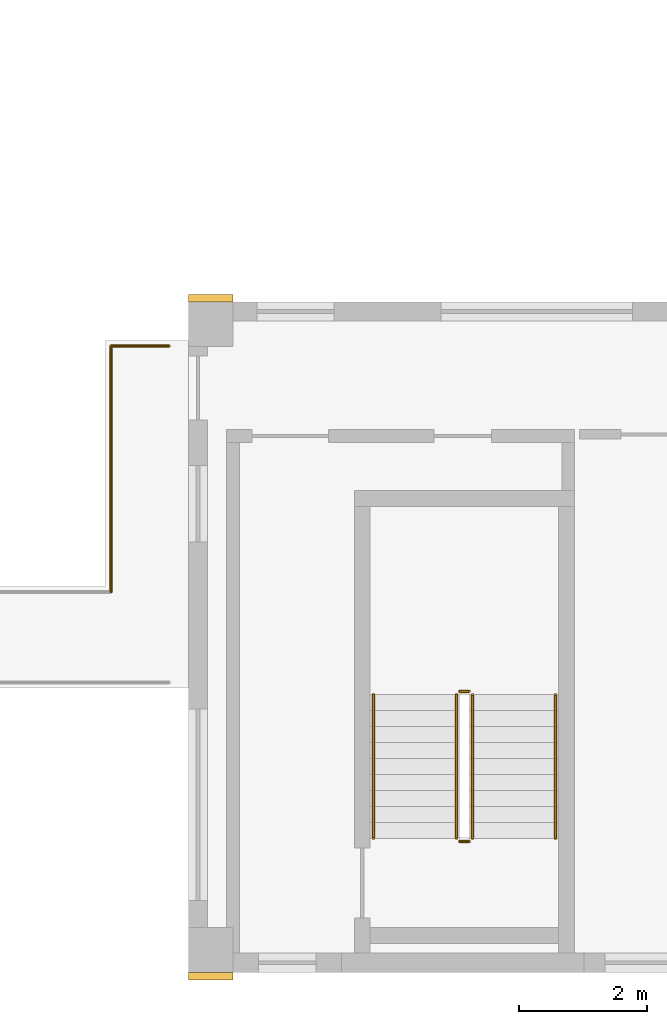
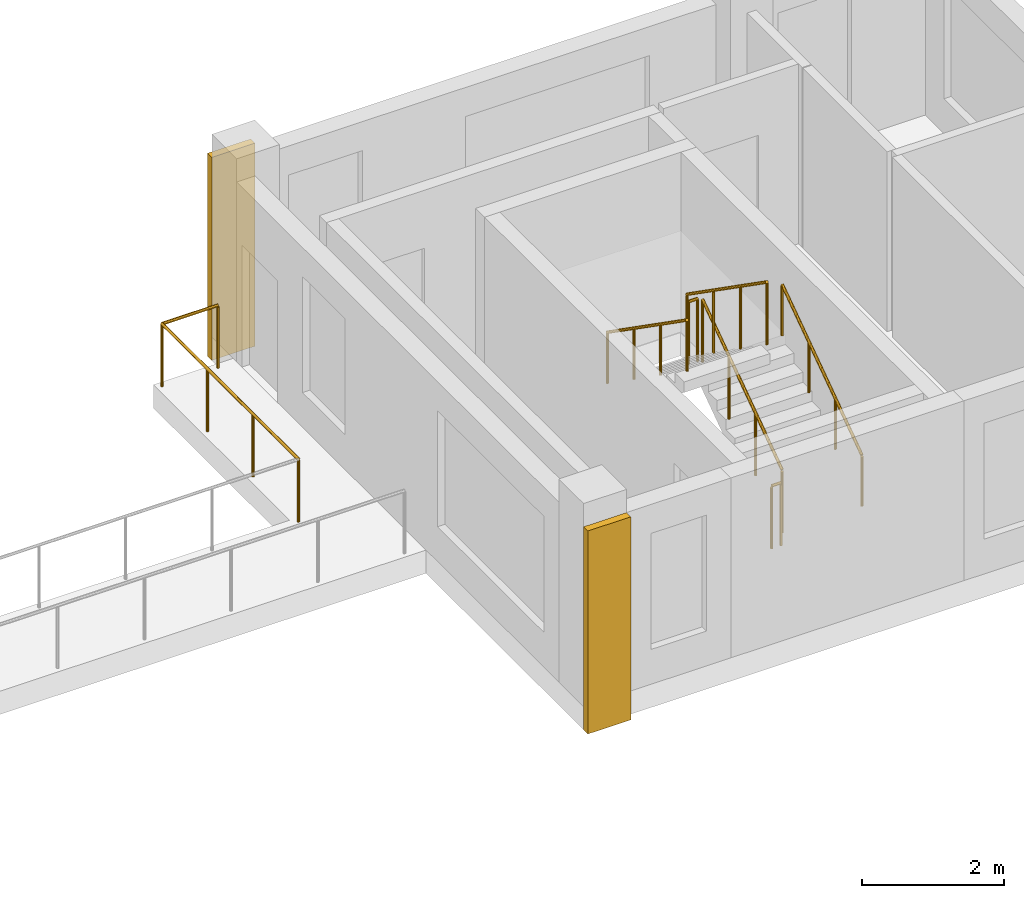
# One storey, part 8 of 9: 8 railings, 2 coverings.
"""IFC4 building model written with IfcOpenShell, lengths in metres."""

import ifcopenshell
import ifcopenshell.guid

model = None  # the IFC model being written
_history = None  # IfcOwnerHistory: only IFC2X3 demands one
_inside = {}  # id of a spatial element -> (the spatial element, [elements in it])
_under = {}  # id of a project, library or spatial element -> (it, [spatial elements below it])
_declared = {}  # id of a project -> (the project, [libraries it declares])
_typed = {}  # id of a type object -> (the type object, [elements of that type])
_made_of = {}  # id of a material, layer set ... -> (it, [elements and type objects made of it])


def new_model(schema):
    """Start an empty IFC model of exactly this schema.

    Asked for "IFC4X3", IfcOpenShell would pick the latest addendum, in which some entities
    have other attributes; the version numbers below select the first issue.
    IFC2X3 requires an IfcOwnerHistory on every rooted entity: one is made here for all.
    """
    global model, _history
    if schema == "IFC4X3":
        model = ifcopenshell.file(schema_version=(4, 3, 0, 0))
    else:
        model = ifcopenshell.file(schema=schema)
    _inside.clear()
    _under.clear()
    _declared.clear()
    _typed.clear()
    _made_of.clear()
    _history = None
    if model.schema == "IFC2X3":
        org = make("IfcOrganization", Name="unknown")
        user = make(
            "IfcPersonAndOrganization",
            ThePerson=make("IfcPerson", FamilyName="unknown"),
            TheOrganization=org,
        )
        app = make(
            "IfcApplication",
            ApplicationDeveloper=org,
            Version="unknown",
            ApplicationFullName="unknown",
            ApplicationIdentifier="unknown",
        )
        _history = make(
            "IfcOwnerHistory",
            OwningUser=user,
            OwningApplication=app,
            ChangeAction="ADDED",
            CreationDate=0,
        )
    return model


def make(cls, **values):
    """One entity of the class cls with the attributes given. An attribute that is None is left unset."""
    return model.create_entity(
        cls, **{name: value for name, value in values.items() if value is not None}
    )


def rooted(cls, **values):
    """An entity with a GlobalId (a new one), such as an element, a storey or a relation."""
    return make(cls, GlobalId=ifcopenshell.guid.new(), OwnerHistory=_history, **values)


def si_unit(unit_type, name, prefix=None):
    """IfcSIUnit, for example si_unit("LENGTHUNIT", "METRE", prefix="MILLI")."""
    return make("IfcSIUnit", UnitType=unit_type, Prefix=prefix, Name=name)


def assignment(units):
    """IfcUnitAssignment: the units of a project."""
    return None if units is None else make("IfcUnitAssignment", Units=units)


def point(xyz):
    """IfcCartesianPoint."""
    return None if xyz is None else make("IfcCartesianPoint", Coordinates=xyz)


def direction(xyz):
    """IfcDirection."""
    return None if xyz is None else make("IfcDirection", DirectionRatios=xyz)


def frame(location, z_axis=None, x_axis=None):
    """IfcAxis2Placement3D, a coordinate frame: its origin and axes. An axis left out is left unset."""
    return make(
        "IfcAxis2Placement3D",
        Location=point(location),
        Axis=direction(z_axis),
        RefDirection=direction(x_axis),
    )


def frame_2d(location, x_axis=None):
    """IfcAxis2Placement2D, a coordinate frame in the plane: its origin and x axis."""
    return make(
        "IfcAxis2Placement2D", Location=point(location), RefDirection=direction(x_axis)
    )


def origin():
    """The frame at (0, 0, 0) with its axes left unset."""
    return frame((0.0, 0.0, 0.0))


def origin_2d():
    """The frame at (0, 0) in the plane with its x axis left unset."""
    return frame_2d((0.0, 0.0))


def place(relative_to, where):
    """IfcLocalPlacement: puts the frame where relative to a parent placement (None: the world)."""
    return make(
        "IfcLocalPlacement", PlacementRelTo=relative_to, RelativePlacement=where
    )


def context(
    kind, dimensions, precision=None, world=None, true_north=None, identifier=None
):
    """IfcGeometricRepresentationContext, for example the 3D "Model" context."""
    return make(
        "IfcGeometricRepresentationContext",
        ContextIdentifier=identifier,
        ContextType=kind,
        CoordinateSpaceDimension=dimensions,
        Precision=precision,
        WorldCoordinateSystem=world,
        TrueNorth=true_north,
    )


def subcontext(parent, identifier, kind, view, scale=None):
    """IfcGeometricRepresentationSubContext, for example "Body" below "Model"."""
    return make(
        "IfcGeometricRepresentationSubContext",
        ContextIdentifier=identifier,
        ContextType=kind,
        ParentContext=parent,
        TargetScale=scale,
        TargetView=view,
    )


def project(units=None, contexts=None):
    """IfcProject with its units and contexts."""
    return rooted(
        "IfcProject",
        Name="project",
        RepresentationContexts=contexts,
        UnitsInContext=assignment(units),
    )


def spatial(cls, under=None, at=None, **own):
    """A site, building, storey or space (cls), placed at a placement, below another one or the project."""
    s = rooted(cls, ObjectPlacement=at, **own)
    if under is not None:
        _under.setdefault(under.id(), (under, []))[1].append(s)
    return s


def profile(cls, at=None, kind="AREA", **sizes):
    """A parametric profile (cls). Its sizes go by their IFC names, for example OverallWidth=200.0."""
    return make(cls, ProfileType=kind, Position=at, **sizes)


def rectangle(**sizes):
    """IfcRectangleProfileDef."""
    return profile("IfcRectangleProfileDef", **sizes)


def circle(**sizes):
    """IfcCircleProfileDef."""
    return profile("IfcCircleProfileDef", **sizes)


def extrude(swept, where, along, depth):
    """IfcExtrudedAreaSolid: the profile swept, set in the frame where, extruded along a direction by depth."""
    return make(
        "IfcExtrudedAreaSolid",
        SweptArea=swept,
        Position=where,
        ExtrudedDirection=direction(along),
        Depth=depth,
    )


def shape(context_of_items, identifier, shape_type, items):
    """IfcShapeRepresentation: the items that make up one representation, for example the "Body"."""
    return make(
        "IfcShapeRepresentation",
        ContextOfItems=context_of_items,
        RepresentationIdentifier=identifier,
        RepresentationType=shape_type,
        Items=items,
    )


def source(mapping_origin, context_of_items, identifier, shape_type, items):
    """IfcRepresentationMap: a shape defined once, which mapped items show again and again."""
    return make(
        "IfcRepresentationMap",
        MappingOrigin=mapping_origin,
        MappedRepresentation=shape(context_of_items, identifier, shape_type, items),
    )


def transform(
    local_origin,
    x_axis=None,
    y_axis=None,
    z_axis=None,
    scale=None,
    scale2=None,
    scale3=None,
    uniform=True,
):
    """IfcCartesianTransformationOperator3D, or its non-uniform kind. x_axis, y_axis, z_axis: its Axis1, 2, 3."""
    if uniform:
        return make(
            "IfcCartesianTransformationOperator3D",
            Axis1=direction(x_axis),
            Axis2=direction(y_axis),
            LocalOrigin=point(local_origin),
            Scale=scale,
            Axis3=direction(z_axis),
        )
    return make(
        "IfcCartesianTransformationOperator3DnonUniform",
        Axis1=direction(x_axis),
        Axis2=direction(y_axis),
        LocalOrigin=point(local_origin),
        Scale=scale,
        Axis3=direction(z_axis),
        Scale2=scale2,
        Scale3=scale3,
    )


def mapped(mapping_source, mapping_target):
    """IfcMappedItem: shows the shape of a source again, moved by a transform."""
    return make(
        "IfcMappedItem", MappingSource=mapping_source, MappingTarget=mapping_target
    )


def material(Name=None, Category=None):
    """IfcMaterial."""
    return make("IfcMaterial", Name=Name, Category=Category)


def made_of(thing, what):
    """Note that an element or type object is made of a material, layer set ...; save() writes the relation."""
    if what is not None:
        _made_of.setdefault(what.id(), (what, []))[1].append(thing)
    return thing


def type_object(cls, material=None, **own):
    """A type object (cls), such as IfcWallType, which elements share."""
    return made_of(rooted(cls, **own), material)


def element(
    cls,
    number,
    at=None,
    inside=None,
    cuts=None,
    type_object=None,
    material=None,
    context=None,
    identifier="Body",
    shape_type=None,
    held_by="IfcProductDefinitionShape",
    body=None,
    shapes=None,
    **own,
):
    """One element of the class cls, such as IfcWall. Its Tag is "e" and its number.

    at: its placement. inside: the storey or other place that contains it. cuts: it is an
    opening in that element (IfcRelVoidsElement). A single representation is given by context,
    identifier, shape_type and body (its items); several are given by shapes. held_by: the class
    of the entity that holds the representations. save() writes the other relations.
    """
    e = rooted(cls, Tag="e%d" % number, ObjectPlacement=at, **own)
    if body is not None:
        shapes = [shape(context, identifier, shape_type, body)]
    if shapes is not None:
        e.Representation = make(held_by, Representations=shapes)
    if inside is not None:
        _inside.setdefault(inside.id(), (inside, []))[1].append(e)
    if cuts is not None:
        rooted(
            "IfcRelVoidsElement", RelatingBuildingElement=cuts, RelatedOpeningElement=e
        )
    if type_object is not None:
        _typed.setdefault(type_object.id(), (type_object, []))[1].append(e)
    return made_of(e, material)


def aggregate(whole, parts):
    """IfcRelAggregates: a whole, such as a stair, and the parts it consists of."""
    return rooted("IfcRelAggregates", RelatingObject=whole, RelatedObjects=parts)


def save(model, path):
    """Write the relations noted so far, then the file.

    IfcRelAggregates (storeys below a building ...), IfcRelContainedInSpatialStructure (elements
    in a storey), IfcRelDefinesByType, IfcRelAssociatesMaterial and IfcRelDeclares: one each for
    every whole, place, type object, material and project.
    """
    for whole, parts in _under.values():
        aggregate(whole, parts)
    for where, things in _inside.values():
        rooted(
            "IfcRelContainedInSpatialStructure",
            RelatedElements=things,
            RelatingStructure=where,
        )
    for kind, things in _typed.values():
        rooted("IfcRelDefinesByType", RelatedObjects=things, RelatingType=kind)
    for what, things in _made_of.values():
        rooted("IfcRelAssociatesMaterial", RelatedObjects=things, RelatingMaterial=what)
    for by, libraries in _declared.values():
        rooted("IfcRelDeclares", RelatingContext=by, RelatedDefinitions=libraries)
    model.write(path)


model = new_model("IFC4")

# Units and contexts
model_context = context("Model", 3, precision=1e-05, world=origin(), true_north=direction((0.0, 1.0)))
body_context = subcontext(model_context, "Body", "Model", "MODEL_VIEW")
ifc_project = project(units=[si_unit("LENGTHUNIT", "METRE"), si_unit("AREAUNIT", "SQUARE_METRE"), si_unit("VOLUMEUNIT", "CUBIC_METRE"), si_unit("PLANEANGLEUNIT", "RADIAN"), si_unit("MASSUNIT", "GRAM", prefix="KILO")], contexts=[model_context])

# Site, building, storey
site_placement = place(None, origin())
site = spatial("IfcSite", under=ifc_project, at=site_placement, CompositionType="ELEMENT")
building_placement = place(site_placement, origin())
building = spatial("IfcBuilding", under=site, at=building_placement, Name="Aurelian Terraces", CompositionType="ELEMENT")
storey_placement = place(building_placement, frame((0.0, 0.0, 295.0)))
storey = spatial("IfcBuildingStorey", under=building, at=storey_placement, Name="L67", CompositionType="ELEMENT", Elevation=295.0)

# Railings
ifc_material_1 = material(Name="Anodised aluminium", Category="aluminium")
railing_type_1 = type_object("IfcRailingType", Name="GUARD-1100", PredefinedType="GUARDRAIL", material=ifc_material_1)
railing_1_placement = place(storey_placement, frame((36.59, 5.96, 0.0)))
element("IfcRailing", 1, at=railing_1_placement, inside=storey, type_object=railing_type_1, Name="Terrace guard L67 BLADE-S-B67.5", PredefinedType="GUARDRAIL", context=body_context, shape_type="SweptSolid", body=[
    extrude(circle(Radius=0.024, at=origin_2d()), frame((0.0, 0.0, 1.076), z_axis=(0.0, 1.0, 0.0), x_axis=(-1.0, 0.0, 0.0)), (0.0, 0.0, 1.0), 3.85),
    extrude(circle(Radius=0.021, at=origin_2d()), origin(), (0.0, 0.0, 1.0), 1.052),
    extrude(circle(Radius=0.021, at=origin_2d()), frame((0.0, 1.2833, 0.0)), (0.0, 0.0, 1.0), 1.052),
    extrude(circle(Radius=0.021, at=origin_2d()), frame((0.0, 2.5667, 0.0)), (0.0, 0.0, 1.0), 1.052),
    extrude(circle(Radius=0.021, at=origin_2d()), frame((0.0, 3.85, 0.0)), (0.0, 0.0, 1.0), 1.052),
])
railing_2_placement = place(storey_placement, frame((36.59, 9.81, 0.0)))
element("IfcRailing", 2, at=railing_2_placement, inside=storey, type_object=railing_type_1, Name="Terrace guard L67 BLADE-S-B67.6", PredefinedType="GUARDRAIL", context=body_context, shape_type="SweptSolid", body=[
    extrude(circle(Radius=0.024, at=origin_2d()), frame((0.0, 0.0, 1.076), z_axis=(1.0, 0.0, 0.0), x_axis=(0.0, 1.0, 0.0)), (0.0, 0.0, 1.0), 0.91),
    extrude(circle(Radius=0.021, at=origin_2d()), origin(), (0.0, 0.0, 1.0), 1.052),
    extrude(circle(Radius=0.021, at=origin_2d()), frame((0.91, 0.0, 0.0)), (0.0, 0.0, 1.0), 1.052),
])

# Coverings
ifc_material_2 = material(Name="Terracotta rainscreen cladding relief", Category="masonry")
covering_type = type_object("IfcCoveringType", Name="BAGUETTE-TC", PredefinedType="CLADDING", material=ifc_material_2)
shared_shape_1 = source(origin(), body_context, "Body", "SweptSolid", [
    extrude(rectangle(XDim=0.7, YDim=0.12, at=origin_2d()), origin(), (0.0, 0.0, 1.0), 3.5),
])
for number, where, z_axis, x_axis, name in (
    (3, (38.15, -0.06, -0.4), (0.0, 0.0, 1.0), (1.0, 0.0, 0.0), "BAGUETTE pier L67 2"),
    (4, (38.15, 10.56, -0.4), (0.0, 0.0, 1.0), (1.0, 0.0, 0.0), "BAGUETTE pier L67 3"),
):
    element("IfcCovering", number, at=place(storey_placement, frame(where, z_axis=z_axis, x_axis=x_axis)), inside=storey, type_object=covering_type, Name=name, PredefinedType="CLADDING", context=body_context, shape_type="MappedRepresentation", body=[
        mapped(shared_shape_1, transform((0.0, 0.0, 0.0), scale=1.0)),
    ])

# Railings
ifc_material_3 = material(Name="Stainless steel", Category="steel")
railing_type_2 = type_object("IfcRailingType", Name="Stair guard 1100", PredefinedType="GUARDRAIL", material=ifc_material_3)
shared_shape_2 = source(origin(), body_context, "Body", "SweptSolid", [
    extrude(circle(Radius=0.024, at=origin_2d()), frame((0.0, 0.0, 1.076), z_axis=(-1.0, 0.0, 0.0), x_axis=(0.0, -1.0, 0.0)), (0.0, 0.0, 1.0), 0.15),
    extrude(circle(Radius=0.021, at=origin_2d()), origin(), (0.0, 0.0, 1.0), 1.052),
    extrude(circle(Radius=0.021, at=origin_2d()), frame((-0.15, 0.0, 0.0)), (0.0, 0.0, 1.0), 1.052),
])
for number, where, name in (
    (5, (42.2, 4.4, 1.75), "L67 S2 stair guard 2"),
    (6, (42.2, 2.05, 0.0), "L67 S2 stair guard 4"),
):
    element("IfcRailing", number, at=place(storey_placement, frame(where)), inside=storey, type_object=railing_type_2, Name=name, PredefinedType="GUARDRAIL", context=body_context, shape_type="MappedRepresentation", body=[
        mapped(shared_shape_2, transform((0.0, 0.0, 0.0), scale=1.0)),
    ])
shared_shape_3 = source(origin(), body_context, "Body", "SweptSolid", [
    extrude(circle(Radius=0.024, at=origin_2d()), frame((0.0, 0.0, 1.076), z_axis=(0.0, 0.819231920519, 0.573462344363), x_axis=(-1.0, 0.0, 0.0)), (0.0, 0.0, 1.0), 2.7465),
    extrude(circle(Radius=0.021, at=origin_2d()), origin(), (0.0, 0.0, 1.0), 1.052),
    extrude(circle(Radius=0.021, at=origin_2d()), frame((0.0, 0.75, 0.525)), (0.0, 0.0, 1.0), 1.052),
    extrude(circle(Radius=0.021, at=origin_2d()), frame((0.0, 1.5, 1.05)), (0.0, 0.0, 1.0), 1.052),
    extrude(circle(Radius=0.021, at=origin_2d()), frame((0.0, 2.25, 1.575)), (0.0, 0.0, 1.0), 1.052),
])
railing_3_placement = place(storey_placement, frame((42.25, 2.1, 0.175)))
element("IfcRailing", 7, at=railing_3_placement, inside=storey, type_object=railing_type_2, Name="L67 S2 stair guard 1", PredefinedType="GUARDRAIL", context=body_context, shape_type="MappedRepresentation", body=[
    mapped(shared_shape_3, transform((0.0, 0.0, 0.0), scale=1.0)),
])
shared_shape_4 = source(origin(), body_context, "Body", "SweptSolid", [
    extrude(circle(Radius=0.024, at=origin_2d()), frame((0.0, 0.0, 1.076), z_axis=(0.0, -0.819231920519, 0.573462344363), x_axis=(1.0, 0.0, 0.0)), (0.0, 0.0, 1.0), 2.7465),
    extrude(circle(Radius=0.021, at=origin_2d()), origin(), (0.0, 0.0, 1.0), 1.052),
    extrude(circle(Radius=0.021, at=origin_2d()), frame((0.0, -0.75, 0.525)), (0.0, 0.0, 1.0), 1.052),
    extrude(circle(Radius=0.021, at=origin_2d()), frame((0.0, -1.5, 1.05)), (0.0, 0.0, 1.0), 1.052),
    extrude(circle(Radius=0.021, at=origin_2d()), frame((0.0, -2.25, 1.575)), (0.0, 0.0, 1.0), 1.052),
])
railing_4_placement = place(storey_placement, frame((42.0, 4.35, 1.925)))
element("IfcRailing", 8, at=railing_4_placement, inside=storey, type_object=railing_type_2, Name="L67 S2 stair guard 3", PredefinedType="GUARDRAIL", context=body_context, shape_type="MappedRepresentation", body=[
    mapped(shared_shape_4, transform((0.0, 0.0, 0.0), scale=1.0)),
])
railing_type_3 = type_object("IfcRailingType", Name="Stair handrail", PredefinedType="HANDRAIL", material=ifc_material_3)
shared_shape_5 = source(origin(), body_context, "Body", "SweptSolid", [
    extrude(circle(Radius=0.024, at=origin_2d()), frame((0.0, 0.0, 0.876), z_axis=(0.0, 0.819231920519, 0.573462344363), x_axis=(-1.0, 0.0, 0.0)), (0.0, 0.0, 1.0), 2.7465),
    extrude(circle(Radius=0.021, at=origin_2d()), origin(), (0.0, 0.0, 1.0), 0.852),
    extrude(circle(Radius=0.021, at=origin_2d()), frame((0.0, 0.75, 0.525)), (0.0, 0.0, 1.0), 0.852),
    extrude(circle(Radius=0.021, at=origin_2d()), frame((0.0, 1.5, 1.05)), (0.0, 0.0, 1.0), 0.852),
    extrude(circle(Radius=0.021, at=origin_2d()), frame((0.0, 2.25, 1.575)), (0.0, 0.0, 1.0), 0.852),
])
railing_5_placement = place(storey_placement, frame((43.55, 2.1, 0.175)))
element("IfcRailing", 9, at=railing_5_placement, inside=storey, type_object=railing_type_3, Name="L67 S2 stair handrail 1", PredefinedType="HANDRAIL", context=body_context, shape_type="MappedRepresentation", body=[
    mapped(shared_shape_5, transform((0.0, 0.0, 0.0), scale=1.0)),
])
shared_shape_6 = source(origin(), body_context, "Body", "SweptSolid", [
    extrude(circle(Radius=0.024, at=origin_2d()), frame((0.0, 0.0, 0.876), z_axis=(0.0, -0.819231920519, 0.573462344363), x_axis=(1.0, 0.0, 0.0)), (0.0, 0.0, 1.0), 2.7465),
    extrude(circle(Radius=0.021, at=origin_2d()), origin(), (0.0, 0.0, 1.0), 0.852),
    extrude(circle(Radius=0.021, at=origin_2d()), frame((0.0, -0.75, 0.525)), (0.0, 0.0, 1.0), 0.852),
    extrude(circle(Radius=0.021, at=origin_2d()), frame((0.0, -1.5, 1.05)), (0.0, 0.0, 1.0), 0.852),
    extrude(circle(Radius=0.021, at=origin_2d()), frame((0.0, -2.25, 1.575)), (0.0, 0.0, 1.0), 0.852),
])
railing_6_placement = place(storey_placement, frame((40.7, 4.35, 1.925)))
element("IfcRailing", 10, at=railing_6_placement, inside=storey, type_object=railing_type_3, Name="L67 S2 stair handrail 2", PredefinedType="HANDRAIL", context=body_context, shape_type="MappedRepresentation", body=[
    mapped(shared_shape_6, transform((0.0, 0.0, 0.0), scale=1.0)),
])

save(model, "model.ifc")
